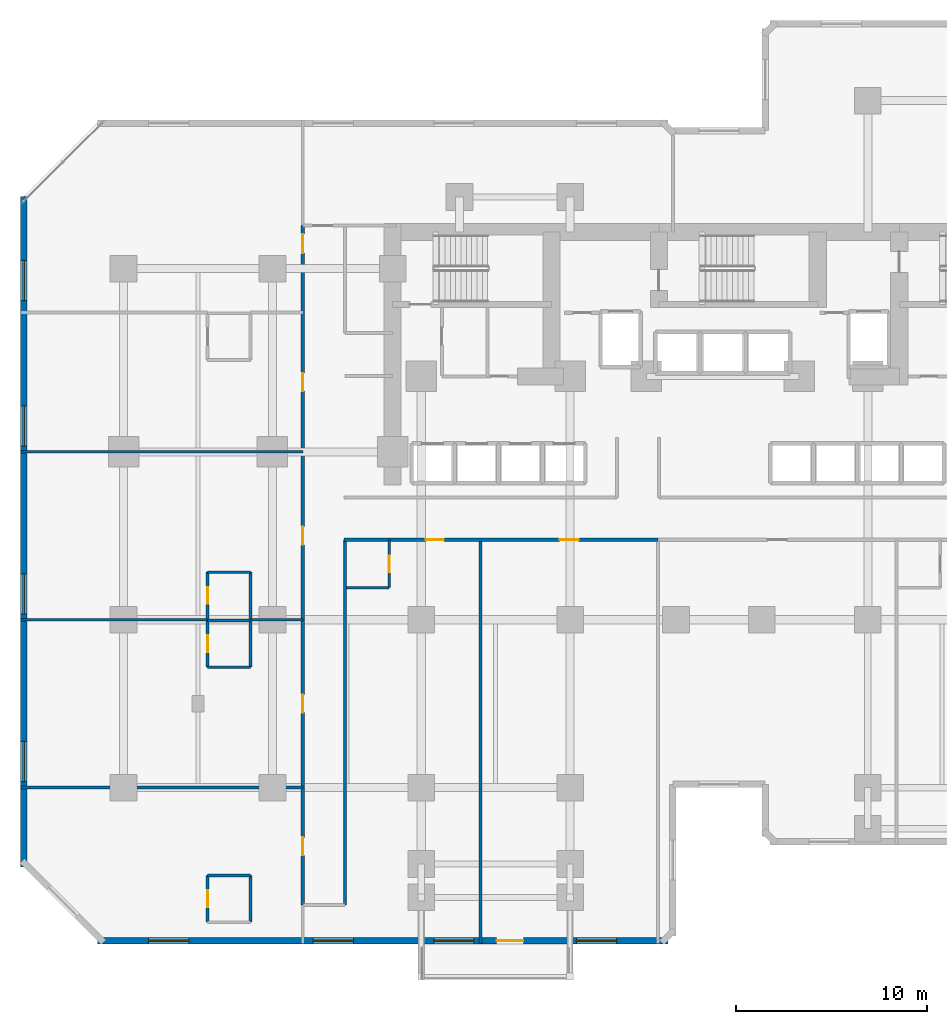
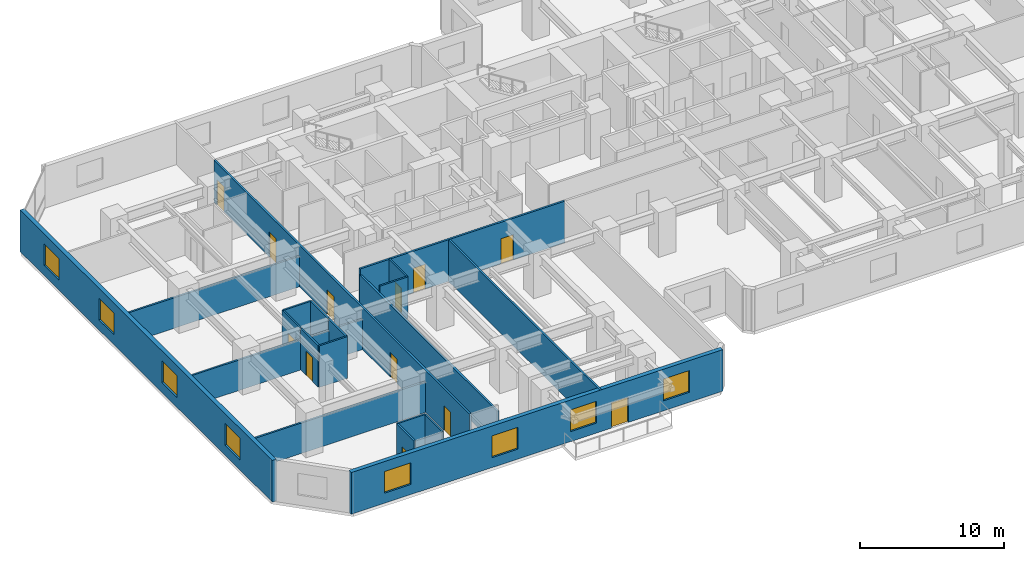
# One storey, part 5 of 11: 22 walls, 12 doors, 8 windows, 20 openings.
"""IFC4 building model written with IfcOpenShell, lengths in metres."""

from ifc_helpers import new_model, si_unit, direction, frame, frame_2d, origin, place, context, subcontext, project, spatial, rectangle, extrude, material, layer, layer_set, type_object, element, fill, save


model = new_model("IFC4")

# Units and contexts
model_context = context("Model", 3, precision=1e-05, world=origin(), true_north=direction((0.0, 1.0)))
body_context = subcontext(model_context, "Body", "Model", "MODEL_VIEW")
ifc_project = project(units=[si_unit("LENGTHUNIT", "METRE"), si_unit("AREAUNIT", "SQUARE_METRE"), si_unit("VOLUMEUNIT", "CUBIC_METRE"), si_unit("PLANEANGLEUNIT", "RADIAN"), si_unit("MASSUNIT", "GRAM", prefix="KILO")], contexts=[model_context])

# Site, building, storey
site_placement = place(None, origin())
site = spatial("IfcSite", under=ifc_project, at=site_placement, CompositionType="ELEMENT")
building_placement = place(site_placement, origin())
building = spatial("IfcBuilding", under=site, at=building_placement, Name="Kestravale Grand Hotel", CompositionType="ELEMENT")
storey_placement = place(building_placement, frame((0.0, 0.0, 37.39990234375)))
storey = spatial("IfcBuildingStorey", under=building, at=storey_placement, Name="L08", CompositionType="ELEMENT", Elevation=37.39990234375)

# Wall, openings, door, windows
ifc_material_1 = material(Name="Precast concrete f'c 45 MPa", Category="concrete")
ifc_layer_1 = layer(ifc_material_1, 0.340087890625)
ifc_layer_set_1 = layer_set([ifc_layer_1], Name="EW-PREC-340")
wall_type_1 = type_object("IfcWallType", Name="EW-PREC-340", PredefinedType="SOLIDWALL", material=ifc_layer_set_1)
wall_1_placement = place(storey_placement, frame((6.429931640625, 3.169921875, 0.0), z_axis=(0.0, 0.0, 1.0), x_axis=(1.0, 0.0, 0.0)))
wall_1 = element("IfcWall", 1, at=wall_1_placement, inside=storey, type_object=wall_type_1, Name="L08 fluted precast facade wall 1", PredefinedType="SOLIDWALL", context=body_context, shape_type="SweptSolid", body=[
    extrude(rectangle(XDim=29.89013671875, YDim=0.340087890625, at=frame_2d((14.945068359375, 0.0))), origin(), (0.0, 0.0, 1.0), 3.5400390625),
])
opening_1_placement = place(wall_1_placement, frame((20.919921875, 0.0, 0.0)))
opening_1 = element("IfcOpeningElement", 2, at=opening_1_placement, cuts=wall_1, Name="Opening D-TERR-1400", PredefinedType="OPENING", context=body_context, shape_type="SweptSolid", body=[
    extrude(rectangle(XDim=1.39990234375, YDim=2.14990234375, at=frame_2d((0.699951171875, 1.074951171875))), frame((0.0, 0.179931640625, 0.0), z_axis=(0.0, -1.0, 0.0), x_axis=(1.0, 0.0, 0.0)), (0.0, 0.0, 1.0), 0.360107421875),
])
opening_2_placement = place(wall_1_placement, frame((2.686279296875, 0.0, 0.85009765625)))
opening_2 = element("IfcOpeningElement", 3, at=opening_2_placement, cuts=wall_1, Name="Opening W-GUEST-2100", PredefinedType="OPENING", context=body_context, shape_type="SweptSolid", body=[
    extrude(rectangle(XDim=2.10009765625, YDim=1.85009765625, at=frame_2d((1.050048828125, 0.925048828125))), frame((0.0, 0.179931640625, 0.0), z_axis=(0.0, -1.0, 0.0), x_axis=(1.0, 0.0, 0.0)), (0.0, 0.0, 1.0), 0.360107421875),
])
opening_3_placement = place(wall_1_placement, frame((11.30859375, 0.0, 0.85009765625)))
opening_3 = element("IfcOpeningElement", 4, at=opening_3_placement, cuts=wall_1, Name="Opening W-GUEST-2100", PredefinedType="OPENING", context=body_context, shape_type="SweptSolid", body=[
    extrude(rectangle(XDim=2.10009765625, YDim=1.85009765625, at=frame_2d((1.050048828125, 0.925048828125))), frame((0.0, 0.179931640625, 0.0), z_axis=(0.0, -1.0, 0.0), x_axis=(1.0, 0.0, 0.0)), (0.0, 0.0, 1.0), 0.360107421875),
])
opening_4_placement = place(wall_1_placement, frame((17.631103515625, 0.0, 0.85009765625)))
opening_4 = element("IfcOpeningElement", 5, at=opening_4_placement, cuts=wall_1, Name="Opening W-GUEST-2100", PredefinedType="OPENING", context=body_context, shape_type="SweptSolid", body=[
    extrude(rectangle(XDim=2.10009765625, YDim=1.85009765625, at=frame_2d((1.050048828125, 0.925048828125))), frame((0.0, 0.179931640625, 0.0), z_axis=(0.0, -1.0, 0.0), x_axis=(1.0, 0.0, 0.0)), (0.0, 0.0, 1.0), 0.360107421875),
])
opening_5_placement = place(wall_1_placement, frame((25.103759765625, 0.0, 0.85009765625)))
opening_5 = element("IfcOpeningElement", 6, at=opening_5_placement, cuts=wall_1, Name="Opening W-GUEST-2100", PredefinedType="OPENING", context=body_context, shape_type="SweptSolid", body=[
    extrude(rectangle(XDim=2.10009765625, YDim=1.85009765625, at=frame_2d((1.050048828125, 0.925048828125))), frame((0.0, 0.179931640625, 0.0), z_axis=(0.0, -1.0, 0.0), x_axis=(1.0, 0.0, 0.0)), (0.0, 0.0, 1.0), 0.360107421875),
])
ifc_material_2 = material(Name="Insulated glazed champagne-bronze aluminium door", Category="aluminium")
door_type_1 = type_object("IfcDoorType", Name="D-TERR-1400", OperationType="NOTDEFINED", PredefinedType="DOOR", material=ifc_material_2)
door_1_placement = place(opening_1_placement, origin())
door_1 = element("IfcDoor", 7, at=door_1_placement, inside=storey, type_object=door_type_1, Name="L08 outdoor garden terrace door", OperationType="DOUBLE_DOOR_SINGLE_SWING", OverallHeight=2.14990234375, OverallWidth=1.39990234375, PredefinedType="DOOR", context=body_context, shape_type="SweptSolid", body=[
    extrude(rectangle(XDim=1.39990234375, YDim=2.14990234375, at=frame_2d((0.699951171875, 1.074951171875))), frame((0.0, 0.02490234375, 0.0), z_axis=(0.0, -1.0, 0.0), x_axis=(1.0, 0.0, 0.0)), (0.0, 0.0, 1.0), 0.050048828125),
])
fill(opening_1, door_1)
ifc_material_3 = material(Name="Insulated low-E double glazing in aluminium frame", Category="aluminium")
window_type = type_object("IfcWindowType", Name="W-GUEST-2100", PartitioningType="DOUBLE_PANEL_VERTICAL", PredefinedType="WINDOW", material=ifc_material_3)
window_1_placement = place(opening_2_placement, origin())
window_1 = element("IfcWindow", 8, at=window_1_placement, inside=storey, type_object=window_type, Name="L08 exterior window 1.1", OverallHeight=1.85009765625, OverallWidth=2.10009765625, PartitioningType="SINGLE_PANEL", PredefinedType="WINDOW", context=body_context, shape_type="SweptSolid", body=[
    extrude(rectangle(XDim=2.10009765625, YDim=1.85009765625, at=frame_2d((1.050048828125, 0.925048828125))), frame((0.0, 0.030029296875, 0.0), z_axis=(0.0, -1.0, 0.0), x_axis=(1.0, 0.0, 0.0)), (0.0, 0.0, 1.0), 0.06005859375),
])
fill(opening_2, window_1)
window_2_placement = place(opening_3_placement, origin())
window_2 = element("IfcWindow", 9, at=window_2_placement, inside=storey, type_object=window_type, Name="L08 exterior window 1.2", OverallHeight=1.85009765625, OverallWidth=2.10009765625, PartitioningType="SINGLE_PANEL", PredefinedType="WINDOW", context=body_context, shape_type="SweptSolid", body=[
    extrude(rectangle(XDim=2.10009765625, YDim=1.85009765625, at=frame_2d((1.050048828125, 0.925048828125))), frame((0.0, 0.030029296875, 0.0), z_axis=(0.0, -1.0, 0.0), x_axis=(1.0, 0.0, 0.0)), (0.0, 0.0, 1.0), 0.06005859375),
])
fill(opening_3, window_2)
window_3_placement = place(opening_4_placement, origin())
window_3 = element("IfcWindow", 10, at=window_3_placement, inside=storey, type_object=window_type, Name="L08 exterior window 1.3", OverallHeight=1.85009765625, OverallWidth=2.10009765625, PartitioningType="SINGLE_PANEL", PredefinedType="WINDOW", context=body_context, shape_type="SweptSolid", body=[
    extrude(rectangle(XDim=2.10009765625, YDim=1.85009765625, at=frame_2d((1.050048828125, 0.925048828125))), frame((0.0, 0.030029296875, 0.0), z_axis=(0.0, -1.0, 0.0), x_axis=(1.0, 0.0, 0.0)), (0.0, 0.0, 1.0), 0.06005859375),
])
fill(opening_4, window_3)
window_4_placement = place(opening_5_placement, origin())
window_4 = element("IfcWindow", 11, at=window_4_placement, inside=storey, type_object=window_type, Name="L08 exterior window 1.4", OverallHeight=1.85009765625, OverallWidth=2.10009765625, PartitioningType="SINGLE_PANEL", PredefinedType="WINDOW", context=body_context, shape_type="SweptSolid", body=[
    extrude(rectangle(XDim=2.10009765625, YDim=1.85009765625, at=frame_2d((1.050048828125, 0.925048828125))), frame((0.0, 0.030029296875, 0.0), z_axis=(0.0, -1.0, 0.0), x_axis=(1.0, 0.0, 0.0)), (0.0, 0.0, 1.0), 0.06005859375),
])
fill(opening_5, window_4)

# Wall, openings, windows
wall_2_placement = place(storey_placement, frame((2.570068359375, 42.169921875, 0.0), z_axis=(0.0, 0.0, 1.0), x_axis=(0.0, -1.0, 0.0)))
wall_2 = element("IfcWall", 12, at=wall_2_placement, inside=storey, type_object=wall_type_1, Name="L08 fluted precast facade wall 19", PredefinedType="SOLIDWALL", context=body_context, shape_type="SweptSolid", body=[
    extrude(rectangle(XDim=35.139892578125, YDim=0.340087890625, at=frame_2d((17.56982421875, 0.0))), origin(), (0.0, 0.0, 1.0), 3.5400390625),
])
opening_6_placement = place(wall_2_placement, frame((3.342529296875, 0.0, 0.85009765625)))
opening_6 = element("IfcOpeningElement", 13, at=opening_6_placement, cuts=wall_2, Name="Opening W-GUEST-2100", PredefinedType="OPENING", context=body_context, shape_type="SweptSolid", body=[
    extrude(rectangle(XDim=2.10009765625, YDim=1.85009765625, at=frame_2d((1.050048828125, 0.925048828125))), frame((0.0, 0.179931640625, 0.0), z_axis=(0.0, -1.0, 0.0), x_axis=(1.0, 0.0, 0.0)), (0.0, 0.0, 1.0), 0.360107421875),
])
opening_7_placement = place(wall_2_placement, frame((10.9775390625, 0.0, 0.85009765625)))
opening_7 = element("IfcOpeningElement", 14, at=opening_7_placement, cuts=wall_2, Name="Opening W-GUEST-2100", PredefinedType="OPENING", context=body_context, shape_type="SweptSolid", body=[
    extrude(rectangle(XDim=2.10009765625, YDim=1.85009765625, at=frame_2d((1.050048828125, 0.925048828125))), frame((0.0, 0.179931640625, 0.0), z_axis=(0.0, -1.0, 0.0), x_axis=(1.0, 0.0, 0.0)), (0.0, 0.0, 1.0), 0.360107421875),
])
opening_8_placement = place(wall_2_placement, frame((19.762451171875, 0.0, 0.85009765625)))
opening_8 = element("IfcOpeningElement", 15, at=opening_8_placement, cuts=wall_2, Name="Opening W-GUEST-2100", PredefinedType="OPENING", context=body_context, shape_type="SweptSolid", body=[
    extrude(rectangle(XDim=2.10009765625, YDim=1.85009765625, at=frame_2d((1.050048828125, 0.925048828125))), frame((0.0, 0.179931640625, 0.0), z_axis=(0.0, -1.0, 0.0), x_axis=(1.0, 0.0, 0.0)), (0.0, 0.0, 1.0), 0.360107421875),
])
opening_9_placement = place(wall_2_placement, frame((28.547607421875, 0.0, 0.85009765625)))
opening_9 = element("IfcOpeningElement", 16, at=opening_9_placement, cuts=wall_2, Name="Opening W-GUEST-2100", PredefinedType="OPENING", context=body_context, shape_type="SweptSolid", body=[
    extrude(rectangle(XDim=2.10009765625, YDim=1.85009765625, at=frame_2d((1.050048828125, 0.925048828125))), frame((0.0, 0.179931640625, 0.0), z_axis=(0.0, -1.0, 0.0), x_axis=(1.0, 0.0, 0.0)), (0.0, 0.0, 1.0), 0.360107421875),
])
window_5_placement = place(opening_6_placement, origin())
window_5 = element("IfcWindow", 17, at=window_5_placement, inside=storey, type_object=window_type, Name="L08 exterior window 19.1", OverallHeight=1.85009765625, OverallWidth=2.10009765625, PartitioningType="SINGLE_PANEL", PredefinedType="WINDOW", context=body_context, shape_type="SweptSolid", body=[
    extrude(rectangle(XDim=2.10009765625, YDim=1.85009765625, at=frame_2d((1.050048828125, 0.925048828125))), frame((0.0, 0.030029296875, 0.0), z_axis=(0.0, -1.0, 0.0), x_axis=(1.0, 0.0, 0.0)), (0.0, 0.0, 1.0), 0.06005859375),
])
fill(opening_6, window_5)
window_6_placement = place(opening_7_placement, origin())
window_6 = element("IfcWindow", 18, at=window_6_placement, inside=storey, type_object=window_type, Name="L08 exterior window 19.2", OverallHeight=1.85009765625, OverallWidth=2.10009765625, PartitioningType="SINGLE_PANEL", PredefinedType="WINDOW", context=body_context, shape_type="SweptSolid", body=[
    extrude(rectangle(XDim=2.10009765625, YDim=1.85009765625, at=frame_2d((1.050048828125, 0.925048828125))), frame((0.0, 0.030029296875, 0.0), z_axis=(0.0, -1.0, 0.0), x_axis=(1.0, 0.0, 0.0)), (0.0, 0.0, 1.0), 0.06005859375),
])
fill(opening_7, window_6)
window_7_placement = place(opening_8_placement, origin())
window_7 = element("IfcWindow", 19, at=window_7_placement, inside=storey, type_object=window_type, Name="L08 exterior window 19.3", OverallHeight=1.85009765625, OverallWidth=2.10009765625, PartitioningType="SINGLE_PANEL", PredefinedType="WINDOW", context=body_context, shape_type="SweptSolid", body=[
    extrude(rectangle(XDim=2.10009765625, YDim=1.85009765625, at=frame_2d((1.050048828125, 0.925048828125))), frame((0.0, 0.030029296875, 0.0), z_axis=(0.0, -1.0, 0.0), x_axis=(1.0, 0.0, 0.0)), (0.0, 0.0, 1.0), 0.06005859375),
])
fill(opening_8, window_7)
window_8_placement = place(opening_9_placement, origin())
window_8 = element("IfcWindow", 20, at=window_8_placement, inside=storey, type_object=window_type, Name="L08 exterior window 19.4", OverallHeight=1.85009765625, OverallWidth=2.10009765625, PartitioningType="SINGLE_PANEL", PredefinedType="WINDOW", context=body_context, shape_type="SweptSolid", body=[
    extrude(rectangle(XDim=2.10009765625, YDim=1.85009765625, at=frame_2d((1.050048828125, 0.925048828125))), frame((0.0, 0.030029296875, 0.0), z_axis=(0.0, -1.0, 0.0), x_axis=(1.0, 0.0, 0.0)), (0.0, 0.0, 1.0), 0.06005859375),
])
fill(opening_9, window_8)

# Wall, openings, doors
ifc_material_4 = material(Name="Acoustic fire-rated gypsum board partition", Category="other")
ifc_layer_2 = layer(ifc_material_4, 0.159912109375)
ifc_layer_set_2 = layer_set([ifc_layer_2], Name="IW-CORR-160")
wall_type_2 = type_object("IfcWallType", Name="IW-CORR-160", PredefinedType="PARTITIONING", material=ifc_layer_set_2)
wall_3_placement = place(storey_placement, frame((19.35009765625, 24.18994140625, 0.0), z_axis=(0.0, 0.0, 1.0), x_axis=(1.0, 0.0, 0.0)))
wall_3 = element("IfcWall", 21, at=wall_3_placement, inside=storey, type_object=wall_type_2, Name="W-L08-CW-S", PredefinedType="PARTITIONING", context=body_context, shape_type="SweptSolid", body=[
    extrude(rectangle(XDim=16.449951171875, YDim=0.159912109375, at=frame_2d((8.22509765625, 0.0))), origin(), (0.0, 0.0, 1.0), 3.5400390625),
])
opening_10_placement = place(wall_3_placement, frame((4.28759765625, 0.0, 0.0)))
opening_10 = element("IfcOpeningElement", 22, at=opening_10_placement, cuts=wall_3, Name="Opening D-GUEST-950", PredefinedType="OPENING", context=body_context, shape_type="SweptSolid", body=[
    extrude(rectangle(XDim=0.949951171875, YDim=2.10009765625, at=frame_2d((0.47509765625, 1.050048828125))), frame((0.0, 0.08984375, 0.0), z_axis=(0.0, -1.0, 0.0), x_axis=(1.0, 0.0, 0.0)), (0.0, 0.0, 1.0), 0.179931640625),
])
opening_11_placement = place(wall_3_placement, frame((11.302490234375, 0.0, 0.0)))
opening_11 = element("IfcOpeningElement", 23, at=opening_11_placement, cuts=wall_3, Name="Opening D-GUEST-1000", PredefinedType="OPENING", context=body_context, shape_type="SweptSolid", body=[
    extrude(rectangle(XDim=1.0, YDim=2.14990234375, at=frame_2d((0.5, 1.074951171875))), frame((0.0, 0.08984375, 0.0), z_axis=(0.0, -1.0, 0.0), x_axis=(1.0, 0.0, 0.0)), (0.0, 0.0, 1.0), 0.179931640625),
])
ifc_material_5 = material(Name="Accessible walnut veneer hotel entrance fire door", Category="wood")
door_type_2 = type_object("IfcDoorType", Name="D-GUEST-1000", OperationType="NOTDEFINED", PredefinedType="DOOR", material=ifc_material_5)
door_2_placement = place(opening_11_placement, origin())
door_2 = element("IfcDoor", 24, at=door_2_placement, inside=storey, type_object=door_type_2, Name="D-L08-AMW", OperationType="SINGLE_SWING_LEFT", OverallHeight=2.14990234375, OverallWidth=1.0, PredefinedType="DOOR", context=body_context, shape_type="SweptSolid", body=[
    extrude(rectangle(XDim=1.0, YDim=2.14990234375, at=frame_2d((0.5, 1.074951171875))), frame((0.0, 0.02490234375, 0.0), z_axis=(0.0, -1.0, 0.0), x_axis=(1.0, 0.0, 0.0)), (0.0, 0.0, 1.0), 0.050048828125),
])
fill(opening_11, door_2)
ifc_material_6 = material(Name="Walnut veneer hotel guestroom entrance fire door", Category="wood")
door_type_3 = type_object("IfcDoorType", Name="D-GUEST-950", OperationType="NOTDEFINED", PredefinedType="DOOR", material=ifc_material_6)
door_3_placement = place(opening_10_placement, origin())
door_3 = element("IfcDoor", 25, at=door_3_placement, inside=storey, type_object=door_type_3, Name="D-L08-U01-ENT", OperationType="SINGLE_SWING_RIGHT", OverallHeight=2.10009765625, OverallWidth=0.949951171875, PredefinedType="DOOR", context=body_context, shape_type="SweptSolid", body=[
    extrude(rectangle(XDim=0.949951171875, YDim=2.10009765625, at=frame_2d((0.47509765625, 1.050048828125))), frame((0.0, 0.02490234375, 0.0), z_axis=(0.0, -1.0, 0.0), x_axis=(1.0, 0.0, 0.0)), (0.0, 0.0, 1.0), 0.050048828125),
])
fill(opening_10, door_3)

wall_4_placement = place(storey_placement, frame((17.18994140625, 5.050048828125, 0.0), z_axis=(0.0, 0.0, 1.0), x_axis=(0.0, 1.0, 0.0)))
wall_4 = element("IfcWall", 26, at=wall_4_placement, inside=storey, type_object=wall_type_2, Name="W-L08-SW-W", PredefinedType="PARTITIONING", context=body_context, shape_type="SweptSolid", body=[
    extrude(rectangle(XDim=35.599853515625, YDim=0.159912109375, at=frame_2d((17.7998046875, 0.0))), origin(), (0.0, 0.0, 1.0), 3.5400390625),
])
opening_12_placement = place(wall_4_placement, frame((2.60009765625, 0.0, 0.0)))
opening_12 = element("IfcOpeningElement", 27, at=opening_12_placement, cuts=wall_4, Name="Opening D-GUEST-950", PredefinedType="OPENING", context=body_context, shape_type="SweptSolid", body=[
    extrude(rectangle(XDim=0.949951171875, YDim=2.10009765625, at=frame_2d((0.47509765625, 1.050048828125))), frame((0.0, 0.08984375, 0.0), z_axis=(0.0, -1.0, 0.0), x_axis=(1.0, 0.0, 0.0)), (0.0, 0.0, 1.0), 0.179931640625),
])
opening_13_placement = place(wall_4_placement, frame((10.074951171875, 0.0, 0.0)))
opening_13 = element("IfcOpeningElement", 28, at=opening_13_placement, cuts=wall_4, Name="Opening D-GUEST-950", PredefinedType="OPENING", context=body_context, shape_type="SweptSolid", body=[
    extrude(rectangle(XDim=0.949951171875, YDim=2.10009765625, at=frame_2d((0.47509765625, 1.050048828125))), frame((0.0, 0.08984375, 0.0), z_axis=(0.0, -1.0, 0.0), x_axis=(1.0, 0.0, 0.0)), (0.0, 0.0, 1.0), 0.179931640625),
])
opening_14_placement = place(wall_4_placement, frame((18.875, 0.0, 0.0)))
opening_14 = element("IfcOpeningElement", 29, at=opening_14_placement, cuts=wall_4, Name="Opening D-GUEST-950", PredefinedType="OPENING", context=body_context, shape_type="SweptSolid", body=[
    extrude(rectangle(XDim=0.949951171875, YDim=2.10009765625, at=frame_2d((0.47509765625, 1.050048828125))), frame((0.0, 0.08984375, 0.0), z_axis=(0.0, -1.0, 0.0), x_axis=(1.0, 0.0, 0.0)), (0.0, 0.0, 1.0), 0.179931640625),
])
opening_15_placement = place(wall_4_placement, frame((26.925048828125, 0.0, 0.0)))
opening_15 = element("IfcOpeningElement", 30, at=opening_15_placement, cuts=wall_4, Name="Opening D-GUEST-950", PredefinedType="OPENING", context=body_context, shape_type="SweptSolid", body=[
    extrude(rectangle(XDim=0.949951171875, YDim=2.10009765625, at=frame_2d((0.47509765625, 1.050048828125))), frame((0.0, 0.08984375, 0.0), z_axis=(0.0, -1.0, 0.0), x_axis=(1.0, 0.0, 0.0)), (0.0, 0.0, 1.0), 0.179931640625),
])
opening_16_placement = place(wall_4_placement, frame((34.159912109375, 0.0, 0.0)))
opening_16 = element("IfcOpeningElement", 31, at=opening_16_placement, cuts=wall_4, Name="Opening D-GUEST-1000", PredefinedType="OPENING", context=body_context, shape_type="SweptSolid", body=[
    extrude(rectangle(XDim=1.0, YDim=2.14990234375, at=frame_2d((0.5, 1.074951171875))), frame((0.0, 0.08984375, 0.0), z_axis=(0.0, -1.0, 0.0), x_axis=(1.0, 0.0, 0.0)), (0.0, 0.0, 1.0), 0.179931640625),
])
door_4_placement = place(opening_16_placement, origin())
door_4 = element("IfcDoor", 32, at=door_4_placement, inside=storey, type_object=door_type_2, Name="D-L08-AMWW", OperationType="SINGLE_SWING_LEFT", OverallHeight=2.14990234375, OverallWidth=1.0, PredefinedType="DOOR", context=body_context, shape_type="SweptSolid", body=[
    extrude(rectangle(XDim=1.0, YDim=2.14990234375, at=frame_2d((0.5, 1.074951171875))), frame((0.0, 0.02490234375, 0.0), z_axis=(0.0, -1.0, 0.0), x_axis=(1.0, 0.0, 0.0)), (0.0, 0.0, 1.0), 0.050048828125),
])
fill(opening_16, door_4)
door_5_placement = place(opening_12_placement, origin())
door_5 = element("IfcDoor", 33, at=door_5_placement, inside=storey, type_object=door_type_3, Name="D-L08-U03-ENT", OperationType="SINGLE_SWING_RIGHT", OverallHeight=2.10009765625, OverallWidth=0.949951171875, PredefinedType="DOOR", context=body_context, shape_type="SweptSolid", body=[
    extrude(rectangle(XDim=0.949951171875, YDim=2.10009765625, at=frame_2d((0.47509765625, 1.050048828125))), frame((0.0, 0.02490234375, 0.0), z_axis=(0.0, -1.0, 0.0), x_axis=(1.0, 0.0, 0.0)), (0.0, 0.0, 1.0), 0.050048828125),
])
fill(opening_12, door_5)
door_6_placement = place(opening_13_placement, origin())
door_6 = element("IfcDoor", 34, at=door_6_placement, inside=storey, type_object=door_type_3, Name="D-L08-U04-ENT", OperationType="SINGLE_SWING_RIGHT", OverallHeight=2.10009765625, OverallWidth=0.949951171875, PredefinedType="DOOR", context=body_context, shape_type="SweptSolid", body=[
    extrude(rectangle(XDim=0.949951171875, YDim=2.10009765625, at=frame_2d((0.47509765625, 1.050048828125))), frame((0.0, 0.02490234375, 0.0), z_axis=(0.0, -1.0, 0.0), x_axis=(1.0, 0.0, 0.0)), (0.0, 0.0, 1.0), 0.050048828125),
])
fill(opening_13, door_6)
door_7_placement = place(opening_14_placement, origin())
door_7 = element("IfcDoor", 35, at=door_7_placement, inside=storey, type_object=door_type_3, Name="D-L08-U05-ENT", OperationType="SINGLE_SWING_RIGHT", OverallHeight=2.10009765625, OverallWidth=0.949951171875, PredefinedType="DOOR", context=body_context, shape_type="SweptSolid", body=[
    extrude(rectangle(XDim=0.949951171875, YDim=2.10009765625, at=frame_2d((0.47509765625, 1.050048828125))), frame((0.0, 0.02490234375, 0.0), z_axis=(0.0, -1.0, 0.0), x_axis=(1.0, 0.0, 0.0)), (0.0, 0.0, 1.0), 0.050048828125),
])
fill(opening_14, door_7)
door_8_placement = place(opening_15_placement, origin())
door_8 = element("IfcDoor", 36, at=door_8_placement, inside=storey, type_object=door_type_3, Name="D-L08-U06-ENT", OperationType="SINGLE_SWING_RIGHT", OverallHeight=2.10009765625, OverallWidth=0.949951171875, PredefinedType="DOOR", context=body_context, shape_type="SweptSolid", body=[
    extrude(rectangle(XDim=0.949951171875, YDim=2.10009765625, at=frame_2d((0.47509765625, 1.050048828125))), frame((0.0, 0.02490234375, 0.0), z_axis=(0.0, -1.0, 0.0), x_axis=(1.0, 0.0, 0.0)), (0.0, 0.0, 1.0), 0.050048828125),
])
fill(opening_15, door_8)

# Wall
wall_5_placement = place(storey_placement, frame((19.409912109375, 5.050048828125, 0.0), z_axis=(0.0, 0.0, 1.0), x_axis=(0.0, 1.0, 0.0)))
element("IfcWall", 37, at=wall_5_placement, inside=storey, type_object=wall_type_2, Name="W-L08-SW-E", PredefinedType="PARTITIONING", context=body_context, shape_type="SweptSolid", body=[
    extrude(rectangle(XDim=19.139892578125, YDim=0.159912109375, at=frame_2d((9.56982421875, 0.0))), origin(), (0.0, 0.0, 1.0), 3.004150390625),
])

# Wall, opening, door
ifc_material_7 = material(Name="Moisture-resistant tile-backer plumbing chase wall", Category="other")
ifc_layer_3 = layer(ifc_material_7, 0.139892578125)
ifc_layer_set_3 = layer_set([ifc_layer_3], Name="IW-PLB-140")
wall_type_3 = type_object("IfcWallType", Name="IW-PLB-140", PredefinedType="PLUMBINGWALL", material=ifc_layer_set_3)
wall_6_placement = place(storey_placement, frame((21.719970703125, 21.679931640625, 0.0), z_axis=(0.0, 0.0, 1.0), x_axis=(0.0, 1.0, 0.0)))
wall_6 = element("IfcWall", 38, at=wall_6_placement, inside=storey, type_object=wall_type_3, Name="W-L08-U01-BE", PredefinedType="PLUMBINGWALL", context=body_context, shape_type="SweptSolid", body=[
    extrude(rectangle(XDim=2.489990234375, YDim=0.139892578125, at=frame_2d((1.2451171875, 0.0))), origin(), (0.0, 0.0, 1.0), 3.5400390625),
])
opening_17_placement = place(wall_6_placement, frame((0.804931640625, 0.0, 0.0)))
opening_17 = element("IfcOpeningElement", 39, at=opening_17_placement, cuts=wall_6, Name="Opening D-BATH-880", PredefinedType="OPENING", context=body_context, shape_type="SweptSolid", body=[
    extrude(rectangle(XDim=0.8798828125, YDim=2.050048828125, at=frame_2d((0.43994140625, 1.02490234375))), frame((0.0, 0.079833984375, 0.0), z_axis=(0.0, -1.0, 0.0), x_axis=(1.0, 0.0, 0.0)), (0.0, 0.0, 1.0), 0.159912109375),
])
ifc_material_8 = material(Name="Moisture-sealed walnut en-suite bathroom door", Category="wood")
door_type_4 = type_object("IfcDoorType", Name="D-BATH-880", OperationType="NOTDEFINED", PredefinedType="DOOR", material=ifc_material_8)
door_9_placement = place(opening_17_placement, origin())
door_9 = element("IfcDoor", 40, at=door_9_placement, inside=storey, type_object=door_type_4, Name="D-L08-U01-BATH", OperationType="SINGLE_SWING_LEFT", OverallHeight=2.050048828125, OverallWidth=0.8798828125, PredefinedType="DOOR", context=body_context, shape_type="SweptSolid", body=[
    extrude(rectangle(XDim=0.8798828125, YDim=2.050048828125, at=frame_2d((0.43994140625, 1.02490234375))), frame((0.0, 0.02490234375, 0.0), z_axis=(0.0, -1.0, 0.0), x_axis=(1.0, 0.0, 0.0)), (0.0, 0.0, 1.0), 0.050048828125),
])
fill(opening_17, door_9)

# Wall
wall_7_placement = place(storey_placement, frame((19.469970703125, 21.679931640625, 0.0), z_axis=(0.0, 0.0, 1.0), x_axis=(1.0, 0.0, 0.0)))
element("IfcWall", 41, at=wall_7_placement, inside=storey, type_object=wall_type_3, Name="W-L08-U01-BS", PredefinedType="PLUMBINGWALL", context=body_context, shape_type="SweptSolid", body=[
    extrude(rectangle(XDim=2.25, YDim=0.139892578125, at=frame_2d((1.125, 0.0))), origin(), (0.0, 0.0, 1.0), 3.5400390625),
])

# Wall, opening, door
wall_8_placement = place(storey_placement, frame((12.199951171875, 4.14990234375, 0.0), z_axis=(0.0, 0.0, 1.0), x_axis=(0.0, 1.0, 0.0)))
wall_8 = element("IfcWall", 42, at=wall_8_placement, inside=storey, type_object=wall_type_3, Name="W-L08-U03-BW", PredefinedType="PLUMBINGWALL", context=body_context, shape_type="SweptSolid", body=[
    extrude(rectangle(XDim=2.4501953125, YDim=0.139892578125, at=frame_2d((1.22509765625, 0.0))), origin(), (0.0, 0.0, 1.0), 3.5400390625),
])
opening_18_placement = place(wall_8_placement, frame((0.784912109375, 0.0, 0.0)))
opening_18 = element("IfcOpeningElement", 43, at=opening_18_placement, cuts=wall_8, Name="Opening D-BATH-880", PredefinedType="OPENING", context=body_context, shape_type="SweptSolid", body=[
    extrude(rectangle(XDim=0.8798828125, YDim=2.050048828125, at=frame_2d((0.43994140625, 1.02490234375))), frame((0.0, 0.079833984375, 0.0), z_axis=(0.0, -1.0, 0.0), x_axis=(1.0, 0.0, 0.0)), (0.0, 0.0, 1.0), 0.159912109375),
])
door_10_placement = place(opening_18_placement, origin())
door_10 = element("IfcDoor", 44, at=door_10_placement, inside=storey, type_object=door_type_4, Name="D-L08-U03-BATH", OperationType="SINGLE_SWING_LEFT", OverallHeight=2.050048828125, OverallWidth=0.8798828125, PredefinedType="DOOR", context=body_context, shape_type="SweptSolid", body=[
    extrude(rectangle(XDim=0.8798828125, YDim=2.050048828125, at=frame_2d((0.43994140625, 1.02490234375))), frame((0.0, 0.02490234375, 0.0), z_axis=(0.0, -1.0, 0.0), x_axis=(1.0, 0.0, 0.0)), (0.0, 0.0, 1.0), 0.050048828125),
])
fill(opening_18, door_10)

# Walls
wall_9_placement = place(storey_placement, frame((14.449951171875, 4.14990234375, 0.0), z_axis=(0.0, 0.0, 1.0), x_axis=(0.0, 1.0, 0.0)))
element("IfcWall", 45, at=wall_9_placement, inside=storey, type_object=wall_type_3, Name="W-L08-U03-BE", PredefinedType="PLUMBINGWALL", context=body_context, shape_type="SweptSolid", body=[
    extrude(rectangle(XDim=2.4501953125, YDim=0.139892578125, at=frame_2d((1.22509765625, 0.0))), origin(), (0.0, 0.0, 1.0), 3.5400390625),
])
wall_10_placement = place(storey_placement, frame((12.199951171875, 6.60009765625, 0.0), z_axis=(0.0, 0.0, 1.0), x_axis=(1.0, 0.0, 0.0)))
element("IfcWall", 46, at=wall_10_placement, inside=storey, type_object=wall_type_3, Name="W-L08-U03-BN", PredefinedType="PLUMBINGWALL", context=body_context, shape_type="SweptSolid", body=[
    extrude(rectangle(XDim=2.25, YDim=0.139892578125, at=frame_2d((1.125, 0.0))), origin(), (0.0, 0.0, 1.0), 3.5400390625),
])

# Wall, opening, door
wall_11_placement = place(storey_placement, frame((12.199951171875, 17.510009765625, 0.0), z_axis=(0.0, 0.0, 1.0), x_axis=(0.0, 1.0, 0.0)))
wall_11 = element("IfcWall", 47, at=wall_11_placement, inside=storey, type_object=wall_type_3, Name="W-L08-U04-BW", PredefinedType="PLUMBINGWALL", context=body_context, shape_type="SweptSolid", body=[
    extrude(rectangle(XDim=2.449951171875, YDim=0.139892578125, at=frame_2d((1.22509765625, 0.0))), origin(), (0.0, 0.0, 1.0), 3.5400390625),
])
opening_19_placement = place(wall_11_placement, frame((0.784912109375, 0.0, 0.0)))
opening_19 = element("IfcOpeningElement", 48, at=opening_19_placement, cuts=wall_11, Name="Opening D-BATH-880", PredefinedType="OPENING", context=body_context, shape_type="SweptSolid", body=[
    extrude(rectangle(XDim=0.8798828125, YDim=2.050048828125, at=frame_2d((0.43994140625, 1.02490234375))), frame((0.0, 0.079833984375, 0.0), z_axis=(0.0, -1.0, 0.0), x_axis=(1.0, 0.0, 0.0)), (0.0, 0.0, 1.0), 0.159912109375),
])
door_11_placement = place(opening_19_placement, origin())
door_11 = element("IfcDoor", 49, at=door_11_placement, inside=storey, type_object=door_type_4, Name="D-L08-U04-BATH", OperationType="SINGLE_SWING_LEFT", OverallHeight=2.050048828125, OverallWidth=0.8798828125, PredefinedType="DOOR", context=body_context, shape_type="SweptSolid", body=[
    extrude(rectangle(XDim=0.8798828125, YDim=2.050048828125, at=frame_2d((0.43994140625, 1.02490234375))), frame((0.0, 0.02490234375, 0.0), z_axis=(0.0, -1.0, 0.0), x_axis=(1.0, 0.0, 0.0)), (0.0, 0.0, 1.0), 0.050048828125),
])
fill(opening_19, door_11)

# Walls
wall_12_placement = place(storey_placement, frame((14.449951171875, 17.510009765625, 0.0), z_axis=(0.0, 0.0, 1.0), x_axis=(0.0, 1.0, 0.0)))
element("IfcWall", 50, at=wall_12_placement, inside=storey, type_object=wall_type_3, Name="W-L08-U04-BE", PredefinedType="PLUMBINGWALL", context=body_context, shape_type="SweptSolid", body=[
    extrude(rectangle(XDim=2.449951171875, YDim=0.139892578125, at=frame_2d((1.22509765625, 0.0))), origin(), (0.0, 0.0, 1.0), 3.5400390625),
])
wall_13_placement = place(storey_placement, frame((12.199951171875, 17.510009765625, 0.0), z_axis=(0.0, 0.0, 1.0), x_axis=(1.0, 0.0, 0.0)))
element("IfcWall", 51, at=wall_13_placement, inside=storey, type_object=wall_type_3, Name="W-L08-U04-BS", PredefinedType="PLUMBINGWALL", context=body_context, shape_type="SweptSolid", body=[
    extrude(rectangle(XDim=2.25, YDim=0.139892578125, at=frame_2d((1.125, 0.0))), origin(), (0.0, 0.0, 1.0), 3.5400390625),
])
wall_14_placement = place(storey_placement, frame((12.199951171875, 19.9599609375, 0.0), z_axis=(0.0, 0.0, 1.0), x_axis=(1.0, 0.0, 0.0)))
element("IfcWall", 52, at=wall_14_placement, inside=storey, type_object=wall_type_3, Name="W-L08-U04-BN", PredefinedType="PLUMBINGWALL", context=body_context, shape_type="SweptSolid", body=[
    extrude(rectangle(XDim=2.25, YDim=0.139892578125, at=frame_2d((1.125, 0.0))), origin(), (0.0, 0.0, 1.0), 2.593017578125),
])

# Wall, opening, door
wall_15_placement = place(storey_placement, frame((12.199951171875, 20.0400390625, 0.0), z_axis=(0.0, 0.0, 1.0), x_axis=(0.0, 1.0, 0.0)))
wall_15 = element("IfcWall", 53, at=wall_15_placement, inside=storey, type_object=wall_type_3, Name="W-L08-U05-BW", PredefinedType="PLUMBINGWALL", context=body_context, shape_type="SweptSolid", body=[
    extrude(rectangle(XDim=2.449951171875, YDim=0.139892578125, at=frame_2d((1.22509765625, 0.0))), origin(), (0.0, 0.0, 1.0), 3.5400390625),
])
opening_20_placement = place(wall_15_placement, frame((0.784912109375, 0.0, 0.0)))
opening_20 = element("IfcOpeningElement", 54, at=opening_20_placement, cuts=wall_15, Name="Opening D-BATH-880", PredefinedType="OPENING", context=body_context, shape_type="SweptSolid", body=[
    extrude(rectangle(XDim=0.8798828125, YDim=2.050048828125, at=frame_2d((0.43994140625, 1.02490234375))), frame((0.0, 0.079833984375, 0.0), z_axis=(0.0, -1.0, 0.0), x_axis=(1.0, 0.0, 0.0)), (0.0, 0.0, 1.0), 0.159912109375),
])
door_12_placement = place(opening_20_placement, origin())
door_12 = element("IfcDoor", 55, at=door_12_placement, inside=storey, type_object=door_type_4, Name="D-L08-U05-BATH", OperationType="SINGLE_SWING_LEFT", OverallHeight=2.050048828125, OverallWidth=0.8798828125, PredefinedType="DOOR", context=body_context, shape_type="SweptSolid", body=[
    extrude(rectangle(XDim=0.8798828125, YDim=2.050048828125, at=frame_2d((0.43994140625, 1.02490234375))), frame((0.0, 0.02490234375, 0.0), z_axis=(0.0, -1.0, 0.0), x_axis=(1.0, 0.0, 0.0)), (0.0, 0.0, 1.0), 0.050048828125),
])
fill(opening_20, door_12)

# Walls
wall_16_placement = place(storey_placement, frame((14.449951171875, 20.0400390625, 0.0), z_axis=(0.0, 0.0, 1.0), x_axis=(0.0, 1.0, 0.0)))
element("IfcWall", 56, at=wall_16_placement, inside=storey, type_object=wall_type_3, Name="W-L08-U05-BE", PredefinedType="PLUMBINGWALL", context=body_context, shape_type="SweptSolid", body=[
    extrude(rectangle(XDim=2.449951171875, YDim=0.139892578125, at=frame_2d((1.22509765625, 0.0))), origin(), (0.0, 0.0, 1.0), 3.5400390625),
])
wall_17_placement = place(storey_placement, frame((12.199951171875, 22.489990234375, 0.0), z_axis=(0.0, 0.0, 1.0), x_axis=(1.0, 0.0, 0.0)))
element("IfcWall", 57, at=wall_17_placement, inside=storey, type_object=wall_type_3, Name="W-L08-U05-BN", PredefinedType="PLUMBINGWALL", context=body_context, shape_type="SweptSolid", body=[
    extrude(rectangle(XDim=2.25, YDim=0.139892578125, at=frame_2d((1.125, 0.0))), origin(), (0.0, 0.0, 1.0), 3.5400390625),
])
ifc_material_9 = material(Name="Double-stud STC 52 acoustic demising partition", Category="other")
ifc_layer_4 = layer(ifc_material_9, 0.14990234375)
ifc_layer_set_4 = layer_set([ifc_layer_4], Name="IW-UNIT-150")
wall_type_4 = type_object("IfcWallType", Name="IW-UNIT-150", PredefinedType="PARTITIONING", material=ifc_layer_set_4)
wall_18_placement = place(storey_placement, frame((26.5048828125, 3.02001953125, 0.0), z_axis=(0.0, 0.0, 1.0), x_axis=(0.0, 1.0, 0.0)))
element("IfcWall", 58, at=wall_18_placement, inside=storey, type_object=wall_type_4, Name="W-L08-WS-1", PredefinedType="PARTITIONING", context=body_context, shape_type="SweptSolid", body=[
    extrude(rectangle(XDim=21.169921875, YDim=0.14990234375, at=frame_2d((10.5849609375, 0.0))), origin(), (0.0, 0.0, 1.0), 3.5400390625),
])
wall_19_placement = place(storey_placement, frame((2.419921875, 11.199951171875, 0.0), z_axis=(0.0, 0.0, 1.0), x_axis=(1.0, 0.0, 0.0)))
element("IfcWall", 59, at=wall_19_placement, inside=storey, type_object=wall_type_4, Name="W-L08-WW-1", PredefinedType="PARTITIONING", context=body_context, shape_type="SweptSolid", body=[
    extrude(rectangle(XDim=14.77001953125, YDim=0.14990234375, at=frame_2d((7.385009765625, 0.0))), origin(), (0.0, 0.0, 1.0), 2.593017578125),
])
wall_20_placement = place(storey_placement, frame((2.419921875, 20.0, 0.0), z_axis=(0.0, 0.0, 1.0), x_axis=(1.0, 0.0, 0.0)))
element("IfcWall", 60, at=wall_20_placement, inside=storey, type_object=wall_type_4, Name="W-L08-WW-2", PredefinedType="PARTITIONING", context=body_context, shape_type="SweptSolid", body=[
    extrude(rectangle(XDim=9.780029296875, YDim=0.14990234375, at=frame_2d((4.89013671875, 0.0))), origin(), (0.0, 0.0, 1.0), 2.593017578125),
])
wall_21_placement = place(storey_placement, frame((14.449951171875, 20.0, 0.0), z_axis=(0.0, 0.0, 1.0), x_axis=(1.0, 0.0, 0.0)))
element("IfcWall", 61, at=wall_21_placement, inside=storey, type_object=wall_type_4, Name="W-L08-WW-2", PredefinedType="PARTITIONING", context=body_context, shape_type="SweptSolid", body=[
    extrude(rectangle(XDim=2.739990234375, YDim=0.14990234375, at=frame_2d((1.3701171875, 0.0))), origin(), (0.0, 0.0, 1.0), 2.593017578125),
])
wall_22_placement = place(storey_placement, frame((2.419921875, 28.800048828125, 0.0), z_axis=(0.0, 0.0, 1.0), x_axis=(1.0, 0.0, 0.0)))
element("IfcWall", 62, at=wall_22_placement, inside=storey, type_object=wall_type_4, Name="W-L08-WW-3", PredefinedType="PARTITIONING", context=body_context, shape_type="SweptSolid", body=[
    extrude(rectangle(XDim=14.77001953125, YDim=0.14990234375, at=frame_2d((7.385009765625, 0.0))), origin(), (0.0, 0.0, 1.0), 2.593017578125),
])

save(model, "model.ifc")
